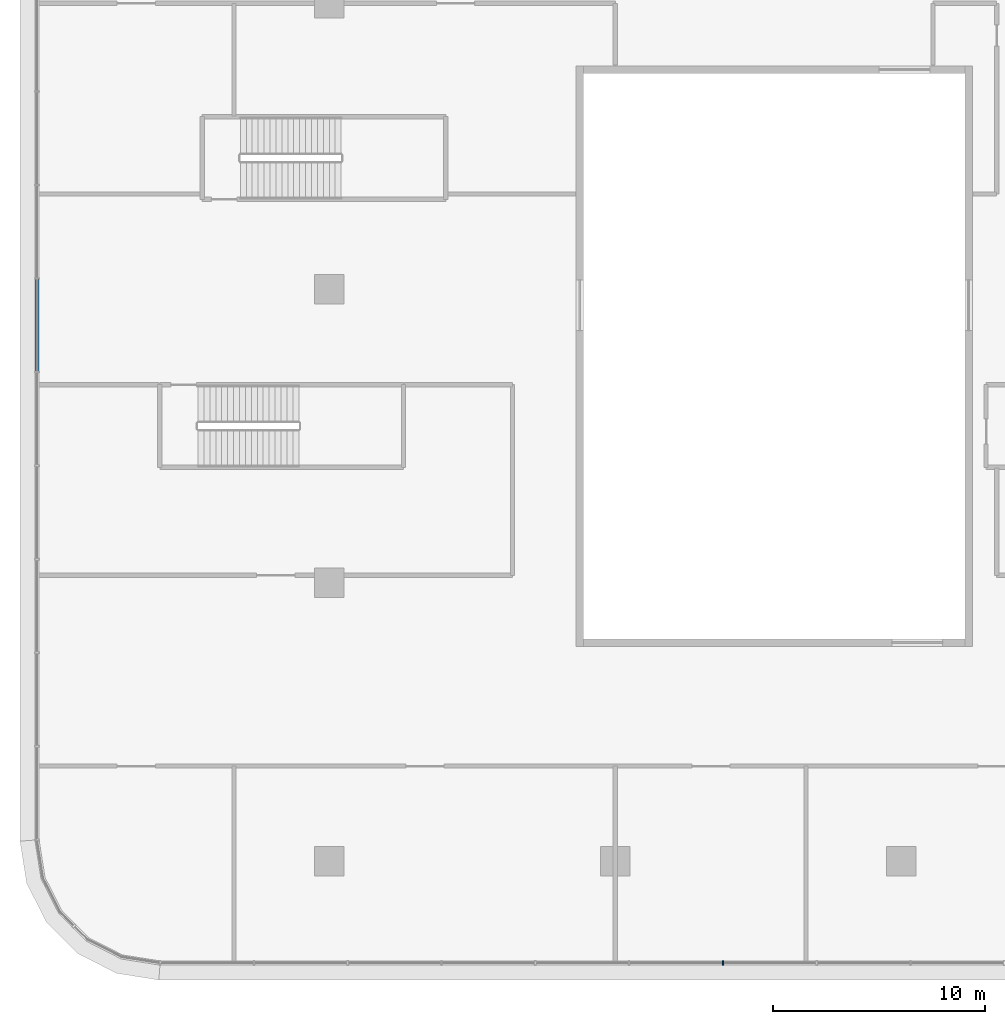
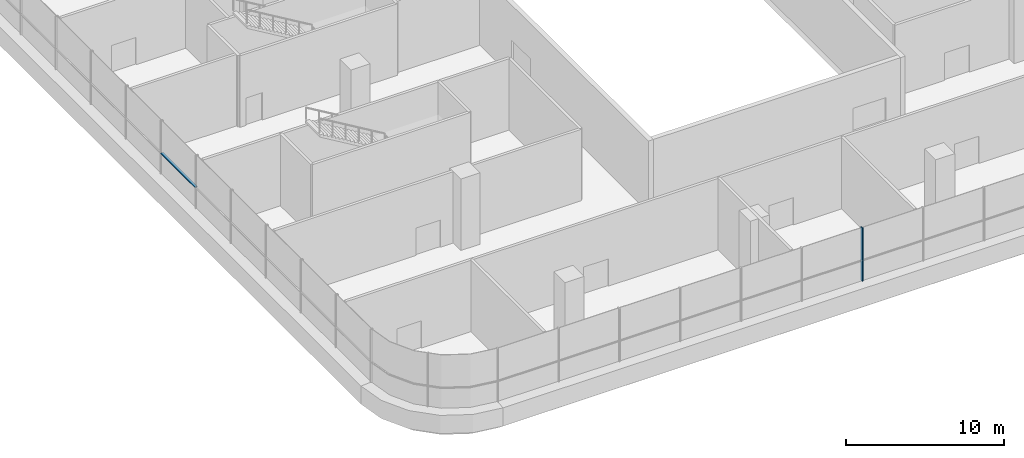
# One storey, part 3 of 52: 2 members, 2 elements without a shape of their own.
"""IFC4 building model written with IfcOpenShell, lengths in metres."""

from ifc_helpers import new_model, si_unit, direction, frame, origin, origin_2d, place, context, subcontext, project, spatial, polyline, rectangle, outline, extrude, material, layer, layer_set, material_profile, profile_set, type_object, element, aggregate, save


model = new_model("IFC4")

# Units and contexts
model_context = context("Model", 3, precision=1e-05, world=origin(), true_north=direction((0.0, 1.0)))
body_context = subcontext(model_context, "Body", "Model", "MODEL_VIEW")
ifc_project = project(units=[si_unit("LENGTHUNIT", "METRE"), si_unit("AREAUNIT", "SQUARE_METRE"), si_unit("VOLUMEUNIT", "CUBIC_METRE"), si_unit("PLANEANGLEUNIT", "RADIAN"), si_unit("MASSUNIT", "GRAM", prefix="KILO")], contexts=[model_context])

# Site, building, storey
site_placement = place(None, origin())
site = spatial("IfcSite", under=ifc_project, at=site_placement, CompositionType="ELEMENT")
building_placement = place(site_placement, origin())
building = spatial("IfcBuilding", under=site, at=building_placement, Name="Tamarind Cross Interchange Tower", CompositionType="ELEMENT")
storey_placement = place(building_placement, frame((0.0, 0.0, 9.0)))
storey = spatial("IfcBuildingStorey", under=building, at=storey_placement, Name="L01", CompositionType="ELEMENT", Elevation=9.0)

# Curtain wall, member
ifc_material = material(Name="Aluminium 6063-T6", Category="aluminium")
ifc_layer = layer(ifc_material, 0.199951171875)
ifc_layer_set = layer_set([ifc_layer], Name="Aluminium 6063-T6")
curtain_wall_type = type_object("IfcCurtainWallType", Name="Podium shopfront and station curtain wall", PredefinedType="NOTDEFINED", material=ifc_layer_set)
curtain_wall_1_placement = place(storey_placement, origin())
curtain_wall_1 = element("IfcCurtainWall", 1, at=curtain_wall_1_placement, inside=storey, type_object=curtain_wall_type, Name="CWS-L01-06", PredefinedType="NOTDEFINED")
ifc_material_profile = material_profile(ifc_material, rectangle(XDim=0.080078125, YDim=0.199951171875, at=origin_2d()), Name="Mullion CW3")
ifc_profile_set = profile_set([ifc_material_profile], Name="Aluminium 6063-T6")
member_type_1 = type_object("IfcMemberType", Name="Mullion CW3", PredefinedType="MULLION", material=ifc_profile_set)
member_1_placement = place(storey_placement, frame((-35.419677734375, -58.800048828125, 1.39990234375), z_axis=(0.0, 0.0, 1.0), x_axis=(1.0, 0.0, 0.0)))
member_1 = element("IfcMember", 2, at=member_1_placement, type_object=member_type_1, Name="CWM-L01-06-06", PredefinedType="MULLION", context=body_context, shape_type="SweptSolid", body=[
    extrude(rectangle(XDim=0.080078125, YDim=0.199951171875, at=origin_2d()), origin(), (0.0, 0.0, 1.0), 4.10009765625),
])
aggregate(curtain_wall_1, [member_1])

curtain_wall_2_placement = place(storey_placement, origin())
curtain_wall_2 = element("IfcCurtainWall", 3, at=curtain_wall_2_placement, inside=storey, type_object=curtain_wall_type, Name="CWS-L01-04", PredefinedType="NOTDEFINED")
member_type_2 = type_object("IfcMemberType", Name="Podium intermediate transom", PredefinedType="USERDEFINED", material=ifc_material)
member_2_placement = place(storey_placement, frame((0.0, 0.0, 2.969970703125)))
member_2 = element("IfcMember", 4, at=member_2_placement, type_object=member_type_2, Name="CWT-L01-04-I0-18", ObjectType="TRANSOM", PredefinedType="USERDEFINED", context=body_context, shape_type="SweptSolid", body=[
    extrude(outline(polyline([(-67.699951171875, -26.5322265625), (-67.699951171875, -30.867431640625), (-67.89990234375, -30.867431640625), (-67.89990234375, -26.5322265625), (-67.699951171875, -26.5322265625)])), origin(), (0.0, 0.0, 1.0), 0.06005859375),
])
aggregate(curtain_wall_2, [member_2])

save(model, "model.ifc")
